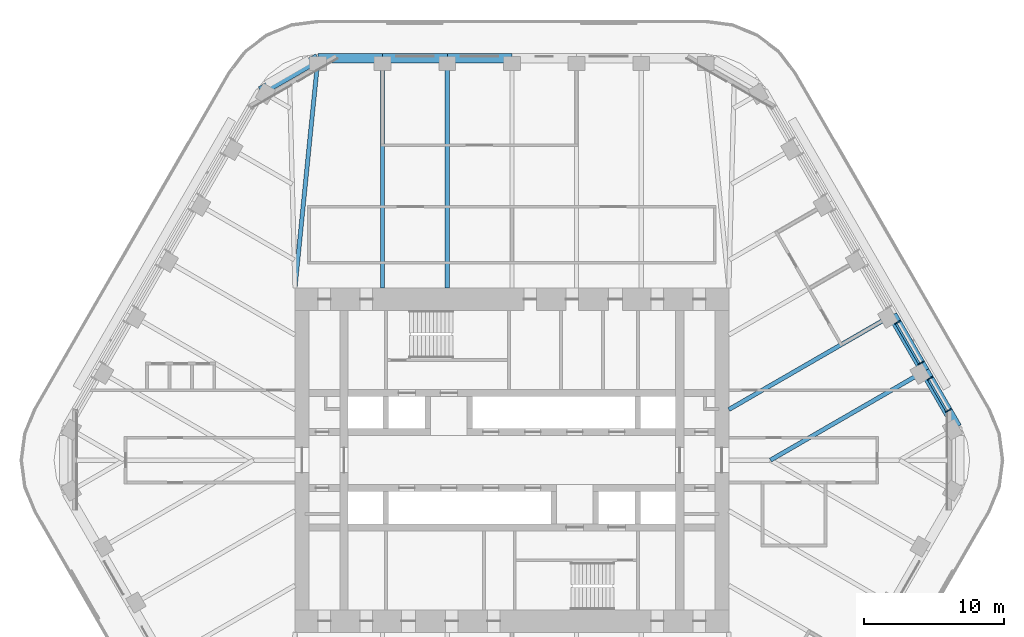
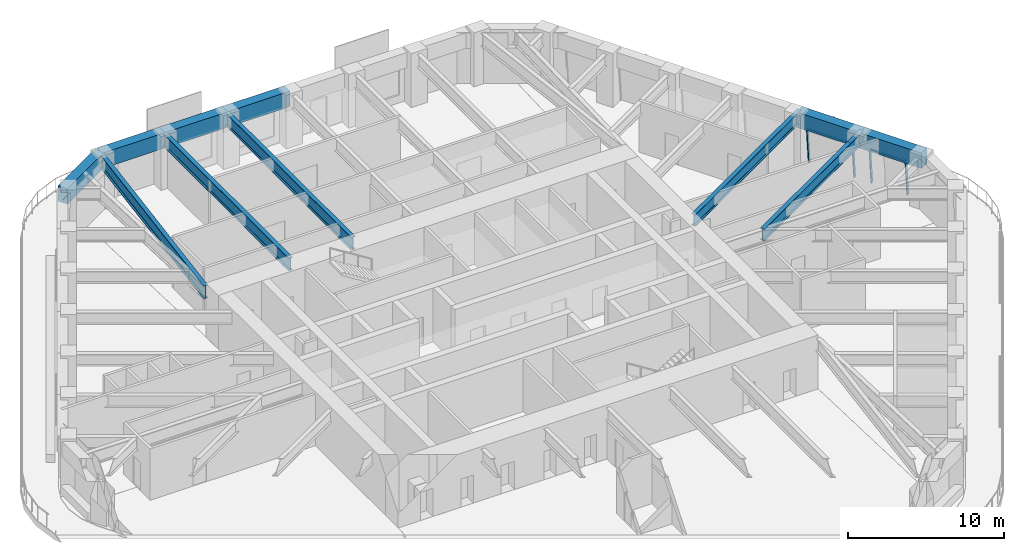
# One storey, part 9 of 20: 11 beams, 6 members, 2 elements without a shape of their own.
"""IFC4 building model written with IfcOpenShell, lengths in metres."""

from ifc_helpers import new_model, si_unit, direction, frame, origin, origin_2d, place, context, subcontext, project, spatial, rectangle, i_section, extrude, material, material_profile, profile_set, type_object, element, aggregate, save


model = new_model("IFC4")

# Units and contexts
model_context = context("Model", 3, precision=1e-05, world=origin(), true_north=direction((0.0, 1.0)))
body_context = subcontext(model_context, "Body", "Model", "MODEL_VIEW")
ifc_project = project(units=[si_unit("LENGTHUNIT", "METRE"), si_unit("AREAUNIT", "SQUARE_METRE"), si_unit("VOLUMEUNIT", "CUBIC_METRE"), si_unit("PLANEANGLEUNIT", "RADIAN"), si_unit("MASSUNIT", "GRAM", prefix="KILO")], contexts=[model_context])

# Site, building, storey
site_placement = place(None, origin())
site = spatial("IfcSite", under=ifc_project, at=site_placement, CompositionType="ELEMENT")
building_placement = place(site_placement, origin())
building = spatial("IfcBuilding", under=site, at=building_placement, Name="Tarfa Lantern Tower", CompositionType="ELEMENT")
storey_placement = place(building_placement, frame((0.0, 0.0, 270.10009765625)))
storey = spatial("IfcBuildingStorey", under=building, at=storey_placement, Name="L61", CompositionType="ELEMENT", Elevation=270.10009765625)

# Curtain wall, members
ifc_material_1 = material(Name="Aluminium framed curtain wall", Category="aluminium")
curtain_wall_type = type_object("IfcCurtainWallType", Name="CW3 CANTED GLAZING HIGH ZONE 2800", PredefinedType="USERDEFINED", material=ifc_material_1)
curtain_wall_1_placement = place(storey_placement, origin())
curtain_wall_1 = element("IfcCurtainWall", 1, at=curtain_wall_1_placement, inside=storey, type_object=curtain_wall_type, Name="CW3 NE L61", ObjectType="CURTAIN WALL", PredefinedType="USERDEFINED")
ifc_material_2 = material(Name="Aluminium mullion", Category="aluminium")
ifc_material_profile_1 = material_profile(ifc_material_2, rectangle(XDim=0.06494140625, YDim=0.199951171875, at=origin_2d()), Name="AL MULLION 65x200")
ifc_profile_set_1 = profile_set([ifc_material_profile_1], Name="Aluminium mullion")
member_type_1 = type_object("IfcMemberType", Name="CWM1 MULLION 65x200", PredefinedType="MULLION", material=ifc_profile_set_1)
member_1_placement = place(storey_placement, frame((31.2900390625, 3.60400390625, 0.0), z_axis=(-0.077039050765, -0.044468989844, 0.996035889715), x_axis=(0.499919672301, -0.866071776036, 0.0)))
member_1 = element("IfcMember", 2, at=member_1_placement, type_object=member_type_1, Name="CW3 mullion 1", PredefinedType="MULLION", context=body_context, shape_type="SweptSolid", body=[
    extrude(rectangle(XDim=0.06494140625, YDim=0.199951171875, at=origin_2d()), origin(), (0.0, 0.0, 1.0), 2.81103515625),
])
member_2_placement = place(storey_placement, frame((29.963134765625, 5.90234375, 0.0), z_axis=(-0.077039050765, -0.044468989844, 0.996035889715), x_axis=(0.499919672301, -0.866071776036, 0.0)))
member_2 = element("IfcMember", 3, at=member_2_placement, type_object=member_type_1, Name="CW3 mullion 2", PredefinedType="MULLION", context=body_context, shape_type="SweptSolid", body=[
    extrude(rectangle(XDim=0.06494140625, YDim=0.199951171875, at=origin_2d()), origin(), (0.0, 0.0, 1.0), 2.81103515625),
])

curtain_wall_2_placement = place(storey_placement, origin())
curtain_wall_2 = element("IfcCurtainWall", 4, at=curtain_wall_2_placement, inside=storey, type_object=curtain_wall_type, Name="CW3 NE L61", ObjectType="CURTAIN WALL", PredefinedType="USERDEFINED")
member_3_placement = place(storey_placement, frame((29.33056640625, 6.997802734375, 0.0), z_axis=(-0.07695271188, -0.044469287226, 0.996042550611), x_axis=(0.500342721131, -0.865827443207, 0.0)))
member_3 = element("IfcMember", 5, at=member_3_placement, type_object=member_type_1, Name="CW3 mullion 1", PredefinedType="MULLION", context=body_context, shape_type="SweptSolid", body=[
    extrude(rectangle(XDim=0.06494140625, YDim=0.199951171875, at=origin_2d()), origin(), (0.0, 0.0, 1.0), 2.81103515625),
])
member_4_placement = place(storey_placement, frame((27.65380859375, 9.90234375, 0.0), z_axis=(-0.077039050765, -0.044468989844, 0.996035889715), x_axis=(0.499919672301, -0.866071776036, 0.0)))
member_4 = element("IfcMember", 6, at=member_4_placement, type_object=member_type_1, Name="CW3 mullion 2", PredefinedType="MULLION", context=body_context, shape_type="SweptSolid", body=[
    extrude(rectangle(XDim=0.06494140625, YDim=0.199951171875, at=origin_2d()), origin(), (0.0, 0.0, 1.0), 2.81103515625),
])

# Member
ifc_material_3 = material(Name="Aluminium transom", Category="aluminium")
ifc_material_profile_2 = material_profile(ifc_material_3, rectangle(XDim=0.14990234375, YDim=0.06494140625, at=origin_2d()), Name="AL TRANSOM 150x65")
ifc_profile_set_2 = profile_set([ifc_material_profile_2], Name="Aluminium transom")
member_type_2 = type_object("IfcMemberType", Name="CWT1 TRANSOM 150x65", PredefinedType="USERDEFINED", material=ifc_profile_set_2)
member_5_placement = place(storey_placement, frame((31.059814453125, 3.508544921875, 2.767333984375), z_axis=(-0.5000136139, 0.866017543653, 0.0), x_axis=(-0.866017543653, -0.5000136139, 0.0)))
member_5 = element("IfcMember", 7, at=member_5_placement, type_object=member_type_2, Name="CW3 transom 1.2", ObjectType="TRANSOM", PredefinedType="USERDEFINED", context=body_context, shape_type="SweptSolid", body=[
    extrude(rectangle(XDim=0.14990234375, YDim=0.06494140625, at=origin_2d()), origin(), (0.0, 0.0, 1.0), 2.5888671875),
])

aggregate(curtain_wall_1, [member_1, member_2, member_5])

member_6_placement = place(storey_placement, frame((29.100341796875, 6.90234375, 2.767333984375), z_axis=(-0.499979497339, 0.866037240677, 0.0), x_axis=(-0.866037240677, -0.499979497339, 0.0)))
member_6 = element("IfcMember", 8, at=member_6_placement, type_object=member_type_2, Name="CW3 transom 1.2", ObjectType="TRANSOM", PredefinedType="USERDEFINED", context=body_context, shape_type="SweptSolid", body=[
    extrude(rectangle(XDim=0.14990234375, YDim=0.06494140625, at=origin_2d()), origin(), (0.0, 0.0, 1.0), 3.288818359375),
])

aggregate(curtain_wall_2, [member_3, member_4, member_6])

# Beams
ifc_material_4 = material(Name="Concrete C80/95", Category="concrete")
ifc_material_profile_3 = material_profile(ifc_material_4, rectangle(XDim=0.699951171875, YDim=1.199951171875, at=origin_2d()), Name="RC 700x1200")
ifc_profile_set_3 = profile_set([ifc_material_profile_3], Name="Concrete C80/95")
beam_type_1 = type_object("IfcBeamType", Name="EB3 RC 700x1200", PredefinedType="SPANDREL", material=ifc_profile_set_3)
beam_1_placement = place(storey_placement, frame((31.800537109375, 2.360107421875, 3.39990234375), z_axis=(-0.500027479704, 0.866009537788, 0.0), x_axis=(-0.866009537788, -0.500027479704, 0.0)))
element("IfcBeam", 9, at=beam_1_placement, inside=storey, type_object=beam_type_1, Name="Edge beam NE0", PredefinedType="SPANDREL", context=body_context, shape_type="SweptSolid", body=[
    extrude(rectangle(XDim=0.699951171875, YDim=1.199951171875, at=origin_2d()), origin(), (0.0, 0.0, 1.0), 4.618896484375),
])
beam_2_placement = place(storey_placement, frame((29.490966796875, 6.360107421875, 3.39990234375), z_axis=(-0.499987836815, 0.866032426089, 0.0), x_axis=(-0.866032426089, -0.499987836815, 0.0)))
element("IfcBeam", 10, at=beam_2_placement, inside=storey, type_object=beam_type_1, Name="Edge beam NE1", PredefinedType="SPANDREL", context=body_context, shape_type="SweptSolid", body=[
    extrude(rectangle(XDim=0.699951171875, YDim=1.199951171875, at=origin_2d()), origin(), (0.0, 0.0, 1.0), 4.61865234375),
])
beam_3_placement = place(storey_placement, frame((0.0, 28.719970703125, 3.39990234375), z_axis=(-1.0, 0.0, 0.0), x_axis=(0.0, -1.0, 0.0)))
element("IfcBeam", 11, at=beam_3_placement, inside=storey, type_object=beam_type_1, Name="Edge beam N3", PredefinedType="SPANDREL", context=body_context, shape_type="SweptSolid", body=[
    extrude(rectangle(XDim=0.699951171875, YDim=1.199951171875, at=origin_2d()), origin(), (0.0, 0.0, 1.0), 4.618896484375),
])
beam_4_placement = place(storey_placement, frame((-4.618896484375, 28.719970703125, 3.39990234375), z_axis=(-1.0, 0.0, 0.0), x_axis=(0.0, -1.0, 0.0)))
element("IfcBeam", 12, at=beam_4_placement, inside=storey, type_object=beam_type_1, Name="Edge beam N4", PredefinedType="SPANDREL", context=body_context, shape_type="SweptSolid", body=[
    extrude(rectangle(XDim=0.699951171875, YDim=1.199951171875, at=origin_2d()), origin(), (0.0, 0.0, 1.0), 4.61865234375),
])
beam_5_placement = place(storey_placement, frame((-9.237548828125, 28.719970703125, 3.39990234375), z_axis=(-1.0, 0.0, 0.0), x_axis=(0.0, -1.0, 0.0)))
element("IfcBeam", 13, at=beam_5_placement, inside=storey, type_object=beam_type_1, Name="Edge beam N5", PredefinedType="SPANDREL", context=body_context, shape_type="SweptSolid", body=[
    extrude(rectangle(XDim=0.699951171875, YDim=1.199951171875, at=origin_2d()), origin(), (0.0, 0.0, 1.0), 4.618896484375),
])
beam_6_placement = place(storey_placement, frame((-13.8564453125, 28.719970703125, 3.39990234375), z_axis=(-0.866038294681, -0.499977671647, 0.0), x_axis=(0.499977671647, -0.866038294681, 0.0)))
element("IfcBeam", 14, at=beam_6_placement, inside=storey, type_object=beam_type_1, Name="Edge beam N6", PredefinedType="SPANDREL", context=body_context, shape_type="SweptSolid", body=[
    extrude(rectangle(XDim=0.699951171875, YDim=1.199951171875, at=origin_2d()), origin(), (0.0, 0.0, 1.0), 4.719970703125),
])
ifc_material_5 = material(Name="Steel S460M", Category="steel")
ifc_material_profile_4 = material_profile(ifc_material_5, i_section(OverallWidth=0.302001953125, OverallDepth=1.008056640625, WebThickness=0.02099609375, FlangeThickness=0.0400390625, FilletRadius=0.030029296875, at=origin_2d()), Name="UB1016x305x349")
ifc_profile_set_4 = profile_set([ifc_material_profile_4], Name="Steel S460M")
beam_type_2 = type_object("IfcBeamType", Name="UB1016x305x349", PredefinedType="BEAM", material=ifc_profile_set_4)
for number, where, z_axis, x_axis, name in (
    (15, (-4.618896484375, 28.719970703125, 3.495849609375), (0.0, -1.0, 0.0), (1.0, 0.0, 0.0), "Floor beam N4"),
    (16, (-9.237548828125, 28.719970703125, 3.495849609375), (0.0, -1.0, 0.0), (1.0, 0.0, 0.0), "Floor beam N5"),
):
    element("IfcBeam", number, at=place(storey_placement, frame(where, z_axis=z_axis, x_axis=x_axis)), inside=storey, type_object=beam_type_2, Name=name, PredefinedType="BEAM", context=body_context, shape_type="SweptSolid", body=[
        extrude(i_section(OverallWidth=0.302001953125, OverallDepth=1.008056640625, WebThickness=0.02099609375, FlangeThickness=0.0400390625, FilletRadius=0.030029296875, at=origin_2d()), origin(), (0.0, 0.0, 1.0), 16.419921875),
    ])
beam_7_placement = place(storey_placement, frame((-13.8564453125, 28.719970703125, 3.495849609375), z_axis=(-0.099597466746, -0.995027810977, 0.0), x_axis=(0.995027810977, -0.099597466746, 0.0)))
element("IfcBeam", 17, at=beam_7_placement, inside=storey, type_object=beam_type_2, Name="Floor beam N6", PredefinedType="BEAM", context=body_context, shape_type="SweptSolid", body=[
    extrude(i_section(OverallWidth=0.302001953125, OverallDepth=1.008056640625, WebThickness=0.02099609375, FlangeThickness=0.0400390625, FilletRadius=0.030029296875, at=origin_2d()), origin(), (0.0, 0.0, 1.0), 16.501953125),
])
ifc_material_profile_5 = material_profile(ifc_material_5, i_section(OverallWidth=0.305419921875, OverallDepth=0.91845703125, WebThickness=0.017333984375, FlangeThickness=0.02783203125, FilletRadius=0.01904296875, at=origin_2d()), Name="UB914x305x253")
ifc_profile_set_5 = profile_set([ifc_material_profile_5], Name="Steel S460M")
beam_type_3 = type_object("IfcBeamType", Name="UB914x305x253", PredefinedType="BEAM", material=ifc_profile_set_5)
beam_8_placement = place(storey_placement, frame((29.490966796875, 6.360107421875, 3.540771484375), z_axis=(-0.866022258038, -0.500005448553, 0.0), x_axis=(0.500005448553, -0.866022258038, 0.0)))
element("IfcBeam", 18, at=beam_8_placement, inside=storey, type_object=beam_type_3, Name="Floor beam NE1", PredefinedType="BEAM", context=body_context, shape_type="SweptSolid", body=[
    extrude(i_section(OverallWidth=0.305419921875, OverallDepth=0.91845703125, WebThickness=0.017333984375, FlangeThickness=0.02783203125, FilletRadius=0.01904296875, at=origin_2d()), origin(), (0.0, 0.0, 1.0), 12.719970703125),
])
beam_9_placement = place(storey_placement, frame((27.181640625, 10.360107421875, 3.540771484375), z_axis=(-0.866018002818, -0.500012818631, 0.0), x_axis=(0.500012818631, -0.866018002818, 0.0)))
element("IfcBeam", 19, at=beam_9_placement, inside=storey, type_object=beam_type_3, Name="Floor beam NE2", PredefinedType="BEAM", context=body_context, shape_type="SweptSolid", body=[
    extrude(i_section(OverallWidth=0.305419921875, OverallDepth=0.91845703125, WebThickness=0.017333984375, FlangeThickness=0.02783203125, FilletRadius=0.01904296875, at=origin_2d()), origin(), (0.0, 0.0, 1.0), 13.489013671875),
])

save(model, "model.ifc")
